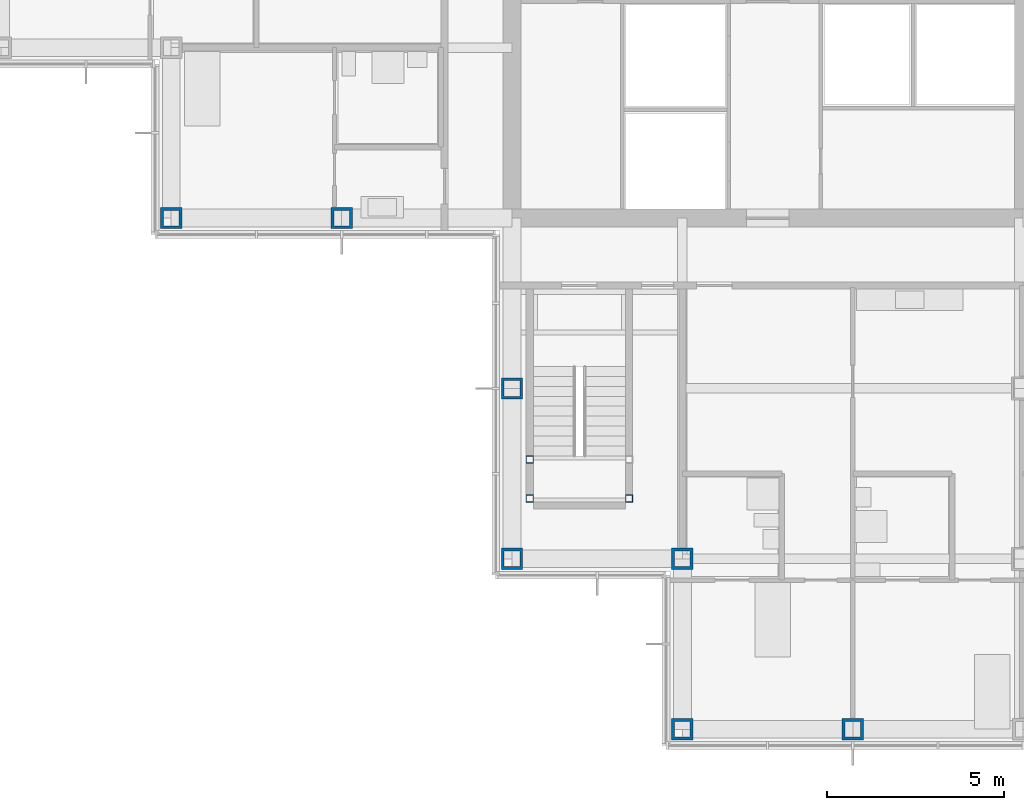
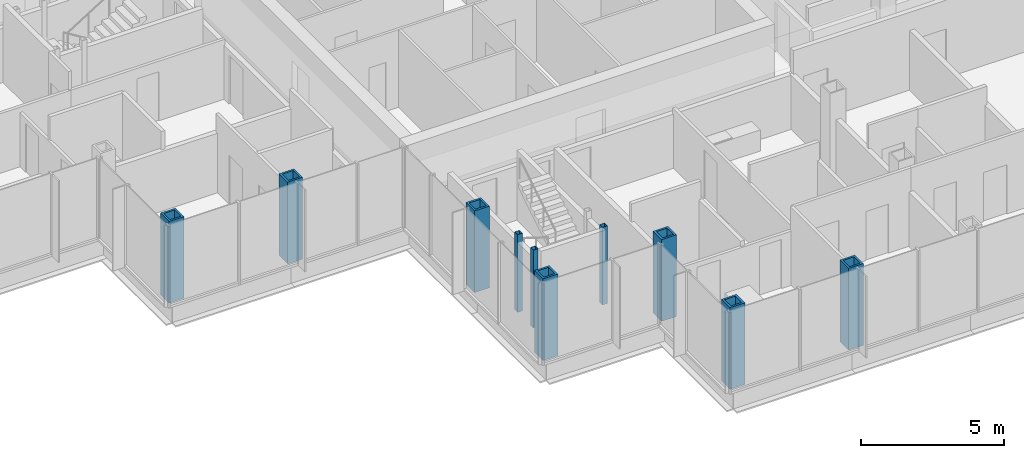
# One storey, part 1 of 20: 10 columns.
"""IFC4 building model written with IfcOpenShell, lengths in metres."""

from ifc_helpers import new_model, si_unit, direction, frame, origin, origin_2d, place, context, subcontext, project, spatial, hollow_rectangle, extrude, material, material_profile, profile_set, type_object, element, save


model = new_model("IFC4")

# Units and contexts
model_context = context("Model", 3, precision=1e-05, world=origin(), true_north=direction((0.0, 1.0)))
body_context = subcontext(model_context, "Body", "Model", "MODEL_VIEW")
ifc_project = project(units=[si_unit("LENGTHUNIT", "METRE"), si_unit("AREAUNIT", "SQUARE_METRE"), si_unit("VOLUMEUNIT", "CUBIC_METRE"), si_unit("PLANEANGLEUNIT", "RADIAN"), si_unit("MASSUNIT", "GRAM", prefix="KILO")], contexts=[model_context])

# Site, building, storey
site_placement = place(None, origin())
site = spatial("IfcSite", under=ifc_project, at=site_placement, CompositionType="ELEMENT")
building_placement = place(site_placement, origin())
building = spatial("IfcBuilding", under=site, at=building_placement, Name="Kvirike Care Tower", CompositionType="ELEMENT")
storey_placement = place(building_placement, frame((0.0, 0.0, 119.0)))
storey = spatial("IfcBuildingStorey", under=building, at=storey_placement, Name="L32", CompositionType="ELEMENT", Elevation=119.0)

# Columns
ifc_material_1 = material(Name="Steel S460", Category="steel")
ifc_material_profile_1 = material_profile(ifc_material_1, hollow_rectangle(XDim=0.60009765625, YDim=0.60009765625, WallThickness=0.080078125, at=origin_2d()), Name="BX 600x600x80")
ifc_profile_set_1 = profile_set([ifc_material_profile_1], Name="Steel S460")
column_type_1 = type_object("IfcColumnType", Name="COLUMN BX 600x600x80", PredefinedType="COLUMN", material=ifc_profile_set_1)
for number, where, z_axis, x_axis, name in (
    (1, (4.800048828125, 28.800048828125, 0.0), (0.0, 0.0, 1.0), (0.0, 1.0, 0.0), "Column G4 L32"),
    (2, (9.60009765625, 28.800048828125, 0.0), (0.0, 0.0, 1.0), (0.0, 1.0, 0.0), "Column G5 L32"),
    (3, (14.39990234375, 19.199951171875, 0.0), (0.0, 0.0, 1.0), (0.0, 1.0, 0.0), "Column E6 L32"),
    (4, (14.39990234375, 24.0, 0.0), (0.0, 0.0, 1.0), (1.0, 0.0, 0.0), "Column F6 L32"),
    (5, (19.199951171875, 14.39990234375, 0.0), (0.0, 0.0, 1.0), (0.0, 1.0, 0.0), "Column D7 L32"),
    (6, (19.199951171875, 19.199951171875, 0.0), (0.0, 0.0, 1.0), (0.0, 1.0, 0.0), "Column E7 L32"),
    (7, (24.0, 14.39990234375, 0.0), (0.0, 0.0, 1.0), (0.0, 1.0, 0.0), "Column D8 L32"),
):
    element("IfcColumn", number, at=place(storey_placement, frame(where, z_axis=z_axis, x_axis=x_axis)), inside=storey, type_object=column_type_1, Name=name, PredefinedType="COLUMN", context=body_context, shape_type="SweptSolid", body=[
        extrude(hollow_rectangle(XDim=0.60009765625, YDim=0.60009765625, WallThickness=0.080078125, at=origin_2d()), origin(), (0.0, 0.0, 1.0), 3.5),
    ])
ifc_material_2 = material(Name="Steel S460", Category="steel")
ifc_material_profile_2 = material_profile(ifc_material_2, hollow_rectangle(XDim=0.199951171875, YDim=0.199951171875, WallThickness=0.008056640625, at=origin_2d()), Name="SHS 200x200x8")
ifc_profile_set_2 = profile_set([ifc_material_profile_2], Name="Steel S460")
column_type_2 = type_object("IfcColumnType", Name="STAIR POST SHS 200x200x8", PredefinedType="COLUMN", material=ifc_profile_set_2)
for number, where, z_axis, x_axis, name in (
    (8, (14.89990234375, 20.89990234375, 0.0), (0.0, 0.0, 1.0), (1.0, 0.0, 0.0), "Stair 5 post 1 L32"),
    (9, (17.699951171875, 20.89990234375, 0.0), (0.0, 0.0, 1.0), (1.0, 0.0, 0.0), "Stair 5 post 2 L32"),
    (10, (14.89990234375, 22.0, 0.0), (0.0, 0.0, 1.0), (1.0, 0.0, 0.0), "Stair 5 post 3 L32"),
):
    element("IfcColumn", number, at=place(storey_placement, frame(where, z_axis=z_axis, x_axis=x_axis)), inside=storey, type_object=column_type_2, Name=name, PredefinedType="COLUMN", context=body_context, shape_type="SweptSolid", body=[
        extrude(hollow_rectangle(XDim=0.199951171875, YDim=0.199951171875, WallThickness=0.008056640625, at=origin_2d()), origin(), (0.0, 0.0, 1.0), 3.330078125),
    ])

save(model, "model.ifc")
